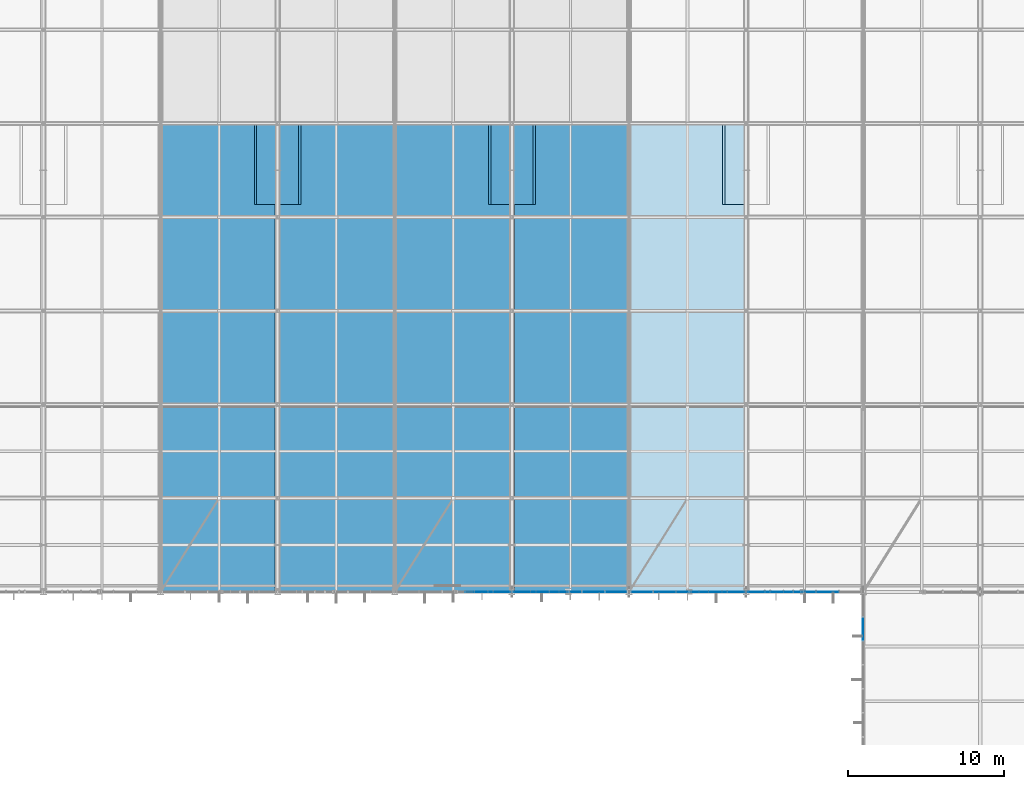
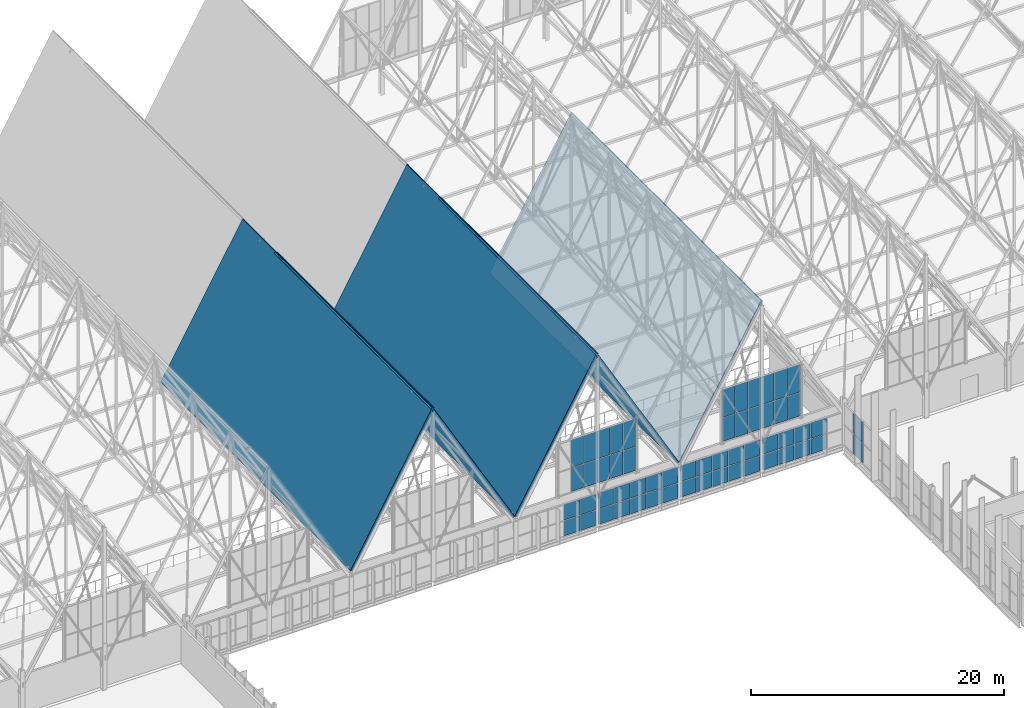
# One storey, part 278 of 324: 61 plates, 5 slabs, 7 elements without a shape of their own.
"""IFC4 building model written with IfcOpenShell, lengths in metres."""

from ifc_helpers import new_model, si_unit, direction, frame, origin, origin_2d, place, context, subcontext, project, spatial, polyline, rectangle, outline, extrude, material, layer, layer_set, type_object, element, aggregate, save


model = new_model("IFC4")

# Units and contexts
model_context = context("Model", 3, precision=1e-05, world=origin(), true_north=direction((0.0, 1.0)))
body_context = subcontext(model_context, "Body", "Model", "MODEL_VIEW")
ifc_project = project(units=[si_unit("LENGTHUNIT", "METRE"), si_unit("AREAUNIT", "SQUARE_METRE"), si_unit("VOLUMEUNIT", "CUBIC_METRE"), si_unit("PLANEANGLEUNIT", "RADIAN"), si_unit("MASSUNIT", "GRAM", prefix="KILO")], contexts=[model_context])

# Site, building, storey
site_placement = place(None, origin())
site = spatial("IfcSite", under=ifc_project, at=site_placement, CompositionType="ELEMENT")
building_placement = place(site_placement, origin())
building = spatial("IfcBuilding", under=site, at=building_placement, Name="Solvenia Promenade Tram Depot", CompositionType="ELEMENT")
storey_placement = place(building_placement, frame((0.0, 0.0, 4.5)))
storey = spatial("IfcBuildingStorey", under=building, at=storey_placement, Name="L01", CompositionType="ELEMENT", Elevation=4.5)

# Curtain wall, plates
ifc_material_1 = material(Name="Anodized aluminium AW-6063 T6", Category="aluminium")
ifc_layer_1 = layer(ifc_material_1, 0.159912109375, Name="Anodized aluminium AW-6063 T6", Category="aluminium")
ifc_layer_set_1 = layer_set([ifc_layer_1], Name="Anodized aluminium AW-6063 T6")
curtain_wall_type_1 = type_object("IfcCurtainWallType", Name="CW-Channel-1500", PredefinedType="NOTDEFINED", material=ifc_layer_set_1)
curtain_wall_1_placement = place(storey_placement, origin())
curtain_wall_1 = element("IfcCurtainWall", 1, at=curtain_wall_1_placement, inside=storey, type_object=curtain_wall_type_1, Name="Curtain Wall CW-V1S1-05", PredefinedType="NOTDEFINED")
ifc_material_2 = material(Name="Low-iron translucent U-profile channel glass", Category="glass")
ifc_layer_2 = layer(ifc_material_2, 0.028076171875, Name="Low-iron translucent U-profile channel glass", Category="glass")
ifc_layer_set_2 = layer_set([ifc_layer_2], Name="Low-iron translucent U-profile channel glass")
plate_type_1 = type_object("IfcPlateType", Name="CWP-Panel-1", PredefinedType="CURTAIN_PANEL", material=ifc_layer_set_2)
plate_1_placement = place(storey_placement, frame((80.218017578125, 66.0, 0.06494140625), z_axis=(0.0, 0.0, 1.0), x_axis=(1.0, 0.0, 0.0)))
plate_1 = element("IfcPlate", 2, at=plate_1_placement, type_object=plate_type_1, Name="CW-2 panel 4.1", PredefinedType="CURTAIN_PANEL", context=body_context, shape_type="SweptSolid", body=[
    extrude(rectangle(XDim=1.41796875, YDim=0.028076171875, at=origin_2d()), origin(), (0.0, 0.0, 1.0), 1.452392578125),
])
plate_2_placement = place(storey_placement, frame((80.218017578125, 66.0, 1.58251953125), z_axis=(0.0, 0.0, 1.0), x_axis=(1.0, 0.0, 0.0)))
plate_2 = element("IfcPlate", 3, at=plate_2_placement, type_object=plate_type_1, Name="CW-2 panel 4.2", PredefinedType="CURTAIN_PANEL", context=body_context, shape_type="SweptSolid", body=[
    extrude(rectangle(XDim=1.41796875, YDim=0.028076171875, at=origin_2d()), origin(), (0.0, 0.0, 1.0), 1.50244140625),
])
plate_3_placement = place(storey_placement, frame((81.673583984375, 66.0, 0.06494140625), z_axis=(0.0, 0.0, 1.0), x_axis=(1.0, 0.0, 0.0)))
plate_3 = element("IfcPlate", 4, at=plate_3_placement, type_object=plate_type_1, Name="CW-2 panel 5.1", PredefinedType="CURTAIN_PANEL", context=body_context, shape_type="SweptSolid", body=[
    extrude(rectangle(XDim=1.39306640625, YDim=0.028076171875, at=origin_2d()), origin(), (0.0, 0.0, 1.0), 1.452392578125),
])
plate_4_placement = place(storey_placement, frame((81.673583984375, 66.0, 1.58251953125), z_axis=(0.0, 0.0, 1.0), x_axis=(1.0, 0.0, 0.0)))
plate_4 = element("IfcPlate", 5, at=plate_4_placement, type_object=plate_type_1, Name="CW-2 panel 5.2", PredefinedType="CURTAIN_PANEL", context=body_context, shape_type="SweptSolid", body=[
    extrude(rectangle(XDim=1.39306640625, YDim=0.028076171875, at=origin_2d()), origin(), (0.0, 0.0, 1.0), 1.50244140625),
])
aggregate(curtain_wall_1, [plate_1, plate_2, plate_3, plate_4])

curtain_wall_2_placement = place(storey_placement, origin())
curtain_wall_2 = element("IfcCurtainWall", 6, at=curtain_wall_2_placement, inside=storey, type_object=curtain_wall_type_1, Name="Curtain Wall CW-V1S1-06", PredefinedType="NOTDEFINED")
plate_5_placement = place(storey_placement, frame((83.326416015625, 66.0, 0.06494140625), z_axis=(0.0, 0.0, 1.0), x_axis=(1.0, 0.0, 0.0)))
plate_5 = element("IfcPlate", 7, at=plate_5_placement, type_object=plate_type_1, Name="CW-2 panel 1.1", PredefinedType="CURTAIN_PANEL", context=body_context, shape_type="SweptSolid", body=[
    extrude(rectangle(XDim=1.39306640625, YDim=0.028076171875, at=origin_2d()), origin(), (0.0, 0.0, 1.0), 1.452392578125),
])
plate_6_placement = place(storey_placement, frame((83.326416015625, 66.0, 1.58251953125), z_axis=(0.0, 0.0, 1.0), x_axis=(1.0, 0.0, 0.0)))
plate_6 = element("IfcPlate", 8, at=plate_6_placement, type_object=plate_type_1, Name="CW-2 panel 1.2", PredefinedType="CURTAIN_PANEL", context=body_context, shape_type="SweptSolid", body=[
    extrude(rectangle(XDim=1.39306640625, YDim=0.028076171875, at=origin_2d()), origin(), (0.0, 0.0, 1.0), 1.50244140625),
])
plate_7_placement = place(storey_placement, frame((84.781982421875, 66.0, 0.06494140625), z_axis=(0.0, 0.0, 1.0), x_axis=(1.0, 0.0, 0.0)))
plate_7 = element("IfcPlate", 9, at=plate_7_placement, type_object=plate_type_1, Name="CW-2 panel 2.1", PredefinedType="CURTAIN_PANEL", context=body_context, shape_type="SweptSolid", body=[
    extrude(rectangle(XDim=1.41796875, YDim=0.028076171875, at=origin_2d()), origin(), (0.0, 0.0, 1.0), 1.452392578125),
])
plate_8_placement = place(storey_placement, frame((84.781982421875, 66.0, 1.58251953125), z_axis=(0.0, 0.0, 1.0), x_axis=(1.0, 0.0, 0.0)))
plate_8 = element("IfcPlate", 10, at=plate_8_placement, type_object=plate_type_1, Name="CW-2 panel 2.2", PredefinedType="CURTAIN_PANEL", context=body_context, shape_type="SweptSolid", body=[
    extrude(rectangle(XDim=1.41796875, YDim=0.028076171875, at=origin_2d()), origin(), (0.0, 0.0, 1.0), 1.50244140625),
])
plate_9_placement = place(storey_placement, frame((86.25, 66.0, 0.06494140625), z_axis=(0.0, 0.0, 1.0), x_axis=(1.0, 0.0, 0.0)))
plate_9 = element("IfcPlate", 11, at=plate_9_placement, type_object=plate_type_1, Name="CW-2 panel 3.1", PredefinedType="CURTAIN_PANEL", context=body_context, shape_type="SweptSolid", body=[
    extrude(rectangle(XDim=1.41796875, YDim=0.028076171875, at=origin_2d()), origin(), (0.0, 0.0, 1.0), 1.452392578125),
])
plate_10_placement = place(storey_placement, frame((86.25, 66.0, 1.58251953125), z_axis=(0.0, 0.0, 1.0), x_axis=(1.0, 0.0, 0.0)))
plate_10 = element("IfcPlate", 12, at=plate_10_placement, type_object=plate_type_1, Name="CW-2 panel 3.2", PredefinedType="CURTAIN_PANEL", context=body_context, shape_type="SweptSolid", body=[
    extrude(rectangle(XDim=1.41796875, YDim=0.028076171875, at=origin_2d()), origin(), (0.0, 0.0, 1.0), 1.50244140625),
])
plate_11_placement = place(storey_placement, frame((87.718017578125, 66.0, 0.06494140625), z_axis=(0.0, 0.0, 1.0), x_axis=(1.0, 0.0, 0.0)))
plate_11 = element("IfcPlate", 13, at=plate_11_placement, type_object=plate_type_1, Name="CW-2 panel 4.1", PredefinedType="CURTAIN_PANEL", context=body_context, shape_type="SweptSolid", body=[
    extrude(rectangle(XDim=1.41796875, YDim=0.028076171875, at=origin_2d()), origin(), (0.0, 0.0, 1.0), 1.452392578125),
])
plate_12_placement = place(storey_placement, frame((87.718017578125, 66.0, 1.58251953125), z_axis=(0.0, 0.0, 1.0), x_axis=(1.0, 0.0, 0.0)))
plate_12 = element("IfcPlate", 14, at=plate_12_placement, type_object=plate_type_1, Name="CW-2 panel 4.2", PredefinedType="CURTAIN_PANEL", context=body_context, shape_type="SweptSolid", body=[
    extrude(rectangle(XDim=1.41796875, YDim=0.028076171875, at=origin_2d()), origin(), (0.0, 0.0, 1.0), 1.50244140625),
])
plate_13_placement = place(storey_placement, frame((89.173583984375, 66.0, 0.06494140625), z_axis=(0.0, 0.0, 1.0), x_axis=(1.0, 0.0, 0.0)))
plate_13 = element("IfcPlate", 15, at=plate_13_placement, type_object=plate_type_1, Name="CW-2 panel 5.1", PredefinedType="CURTAIN_PANEL", context=body_context, shape_type="SweptSolid", body=[
    extrude(rectangle(XDim=1.39306640625, YDim=0.028076171875, at=origin_2d()), origin(), (0.0, 0.0, 1.0), 1.452392578125),
])
plate_14_placement = place(storey_placement, frame((89.173583984375, 66.0, 1.58251953125), z_axis=(0.0, 0.0, 1.0), x_axis=(1.0, 0.0, 0.0)))
plate_14 = element("IfcPlate", 16, at=plate_14_placement, type_object=plate_type_1, Name="CW-2 panel 5.2", PredefinedType="CURTAIN_PANEL", context=body_context, shape_type="SweptSolid", body=[
    extrude(rectangle(XDim=1.39306640625, YDim=0.028076171875, at=origin_2d()), origin(), (0.0, 0.0, 1.0), 1.50244140625),
])
aggregate(curtain_wall_2, [plate_5, plate_6, plate_7, plate_8, plate_9, plate_10, plate_11, plate_12, plate_13, plate_14])

curtain_wall_3_placement = place(storey_placement, origin())
curtain_wall_3 = element("IfcCurtainWall", 17, at=curtain_wall_3_placement, inside=storey, type_object=curtain_wall_type_1, Name="Curtain Wall CW-V1S1-07", PredefinedType="NOTDEFINED")
plate_15_placement = place(storey_placement, frame((90.826416015625, 66.0, 0.06494140625), z_axis=(0.0, 0.0, 1.0), x_axis=(1.0, 0.0, 0.0)))
plate_15 = element("IfcPlate", 18, at=plate_15_placement, type_object=plate_type_1, Name="CW-2 panel 1.1", PredefinedType="CURTAIN_PANEL", context=body_context, shape_type="SweptSolid", body=[
    extrude(rectangle(XDim=1.39306640625, YDim=0.028076171875, at=origin_2d()), origin(), (0.0, 0.0, 1.0), 1.452392578125),
])
plate_16_placement = place(storey_placement, frame((90.826416015625, 66.0, 1.58251953125), z_axis=(0.0, 0.0, 1.0), x_axis=(1.0, 0.0, 0.0)))
plate_16 = element("IfcPlate", 19, at=plate_16_placement, type_object=plate_type_1, Name="CW-2 panel 1.2", PredefinedType="CURTAIN_PANEL", context=body_context, shape_type="SweptSolid", body=[
    extrude(rectangle(XDim=1.39306640625, YDim=0.028076171875, at=origin_2d()), origin(), (0.0, 0.0, 1.0), 1.50244140625),
])
plate_17_placement = place(storey_placement, frame((92.281982421875, 66.0, 0.06494140625), z_axis=(0.0, 0.0, 1.0), x_axis=(1.0, 0.0, 0.0)))
plate_17 = element("IfcPlate", 20, at=plate_17_placement, type_object=plate_type_1, Name="CW-2 panel 2.1", PredefinedType="CURTAIN_PANEL", context=body_context, shape_type="SweptSolid", body=[
    extrude(rectangle(XDim=1.41796875, YDim=0.028076171875, at=origin_2d()), origin(), (0.0, 0.0, 1.0), 1.452392578125),
])
plate_18_placement = place(storey_placement, frame((92.281982421875, 66.0, 1.58251953125), z_axis=(0.0, 0.0, 1.0), x_axis=(1.0, 0.0, 0.0)))
plate_18 = element("IfcPlate", 21, at=plate_18_placement, type_object=plate_type_1, Name="CW-2 panel 2.2", PredefinedType="CURTAIN_PANEL", context=body_context, shape_type="SweptSolid", body=[
    extrude(rectangle(XDim=1.41796875, YDim=0.028076171875, at=origin_2d()), origin(), (0.0, 0.0, 1.0), 1.50244140625),
])
plate_19_placement = place(storey_placement, frame((93.75, 66.0, 0.06494140625), z_axis=(0.0, 0.0, 1.0), x_axis=(1.0, 0.0, 0.0)))
plate_19 = element("IfcPlate", 22, at=plate_19_placement, type_object=plate_type_1, Name="CW-2 panel 3.1", PredefinedType="CURTAIN_PANEL", context=body_context, shape_type="SweptSolid", body=[
    extrude(rectangle(XDim=1.41796875, YDim=0.028076171875, at=origin_2d()), origin(), (0.0, 0.0, 1.0), 1.452392578125),
])
plate_20_placement = place(storey_placement, frame((93.75, 66.0, 1.58251953125), z_axis=(0.0, 0.0, 1.0), x_axis=(1.0, 0.0, 0.0)))
plate_20 = element("IfcPlate", 23, at=plate_20_placement, type_object=plate_type_1, Name="CW-2 panel 3.2", PredefinedType="CURTAIN_PANEL", context=body_context, shape_type="SweptSolid", body=[
    extrude(rectangle(XDim=1.41796875, YDim=0.028076171875, at=origin_2d()), origin(), (0.0, 0.0, 1.0), 1.50244140625),
])
plate_21_placement = place(storey_placement, frame((95.218017578125, 66.0, 0.06494140625), z_axis=(0.0, 0.0, 1.0), x_axis=(1.0, 0.0, 0.0)))
plate_21 = element("IfcPlate", 24, at=plate_21_placement, type_object=plate_type_1, Name="CW-2 panel 4.1", PredefinedType="CURTAIN_PANEL", context=body_context, shape_type="SweptSolid", body=[
    extrude(rectangle(XDim=1.41796875, YDim=0.028076171875, at=origin_2d()), origin(), (0.0, 0.0, 1.0), 1.452392578125),
])
plate_22_placement = place(storey_placement, frame((95.218017578125, 66.0, 1.58251953125), z_axis=(0.0, 0.0, 1.0), x_axis=(1.0, 0.0, 0.0)))
plate_22 = element("IfcPlate", 25, at=plate_22_placement, type_object=plate_type_1, Name="CW-2 panel 4.2", PredefinedType="CURTAIN_PANEL", context=body_context, shape_type="SweptSolid", body=[
    extrude(rectangle(XDim=1.41796875, YDim=0.028076171875, at=origin_2d()), origin(), (0.0, 0.0, 1.0), 1.50244140625),
])
plate_23_placement = place(storey_placement, frame((96.673583984375, 66.0, 0.06494140625), z_axis=(0.0, 0.0, 1.0), x_axis=(1.0, 0.0, 0.0)))
plate_23 = element("IfcPlate", 26, at=plate_23_placement, type_object=plate_type_1, Name="CW-2 panel 5.1", PredefinedType="CURTAIN_PANEL", context=body_context, shape_type="SweptSolid", body=[
    extrude(rectangle(XDim=1.39306640625, YDim=0.028076171875, at=origin_2d()), origin(), (0.0, 0.0, 1.0), 1.452392578125),
])
plate_24_placement = place(storey_placement, frame((96.673583984375, 66.0, 1.58251953125), z_axis=(0.0, 0.0, 1.0), x_axis=(1.0, 0.0, 0.0)))
plate_24 = element("IfcPlate", 27, at=plate_24_placement, type_object=plate_type_1, Name="CW-2 panel 5.2", PredefinedType="CURTAIN_PANEL", context=body_context, shape_type="SweptSolid", body=[
    extrude(rectangle(XDim=1.39306640625, YDim=0.028076171875, at=origin_2d()), origin(), (0.0, 0.0, 1.0), 1.50244140625),
])
aggregate(curtain_wall_3, [plate_15, plate_16, plate_17, plate_18, plate_19, plate_20, plate_21, plate_22, plate_23, plate_24])

curtain_wall_4_placement = place(storey_placement, origin())
curtain_wall_4 = element("IfcCurtainWall", 28, at=curtain_wall_4_placement, inside=storey, type_object=curtain_wall_type_1, Name="Curtain Wall CW-V1S1-08", PredefinedType="NOTDEFINED")
plate_25_placement = place(storey_placement, frame((98.326416015625, 66.0, 0.06494140625), z_axis=(0.0, 0.0, 1.0), x_axis=(1.0, 0.0, 0.0)))
plate_25 = element("IfcPlate", 29, at=plate_25_placement, type_object=plate_type_1, Name="CW-2 panel 1.1", PredefinedType="CURTAIN_PANEL", context=body_context, shape_type="SweptSolid", body=[
    extrude(rectangle(XDim=1.39306640625, YDim=0.028076171875, at=origin_2d()), origin(), (0.0, 0.0, 1.0), 1.452392578125),
])
plate_26_placement = place(storey_placement, frame((98.326416015625, 66.0, 1.58251953125), z_axis=(0.0, 0.0, 1.0), x_axis=(1.0, 0.0, 0.0)))
plate_26 = element("IfcPlate", 30, at=plate_26_placement, type_object=plate_type_1, Name="CW-2 panel 1.2", PredefinedType="CURTAIN_PANEL", context=body_context, shape_type="SweptSolid", body=[
    extrude(rectangle(XDim=1.39306640625, YDim=0.028076171875, at=origin_2d()), origin(), (0.0, 0.0, 1.0), 1.50244140625),
])
plate_27_placement = place(storey_placement, frame((99.781982421875, 66.0, 0.06494140625), z_axis=(0.0, 0.0, 1.0), x_axis=(1.0, 0.0, 0.0)))
plate_27 = element("IfcPlate", 31, at=plate_27_placement, type_object=plate_type_1, Name="CW-2 panel 2.1", PredefinedType="CURTAIN_PANEL", context=body_context, shape_type="SweptSolid", body=[
    extrude(rectangle(XDim=1.41796875, YDim=0.028076171875, at=origin_2d()), origin(), (0.0, 0.0, 1.0), 1.452392578125),
])
plate_28_placement = place(storey_placement, frame((99.781982421875, 66.0, 1.58251953125), z_axis=(0.0, 0.0, 1.0), x_axis=(1.0, 0.0, 0.0)))
plate_28 = element("IfcPlate", 32, at=plate_28_placement, type_object=plate_type_1, Name="CW-2 panel 2.2", PredefinedType="CURTAIN_PANEL", context=body_context, shape_type="SweptSolid", body=[
    extrude(rectangle(XDim=1.41796875, YDim=0.028076171875, at=origin_2d()), origin(), (0.0, 0.0, 1.0), 1.50244140625),
])
plate_29_placement = place(storey_placement, frame((101.25, 66.0, 0.06494140625), z_axis=(0.0, 0.0, 1.0), x_axis=(1.0, 0.0, 0.0)))
plate_29 = element("IfcPlate", 33, at=plate_29_placement, type_object=plate_type_1, Name="CW-2 panel 3.1", PredefinedType="CURTAIN_PANEL", context=body_context, shape_type="SweptSolid", body=[
    extrude(rectangle(XDim=1.41796875, YDim=0.028076171875, at=origin_2d()), origin(), (0.0, 0.0, 1.0), 1.452392578125),
])
plate_30_placement = place(storey_placement, frame((101.25, 66.0, 1.58251953125), z_axis=(0.0, 0.0, 1.0), x_axis=(1.0, 0.0, 0.0)))
plate_30 = element("IfcPlate", 34, at=plate_30_placement, type_object=plate_type_1, Name="CW-2 panel 3.2", PredefinedType="CURTAIN_PANEL", context=body_context, shape_type="SweptSolid", body=[
    extrude(rectangle(XDim=1.41796875, YDim=0.028076171875, at=origin_2d()), origin(), (0.0, 0.0, 1.0), 1.50244140625),
])
plate_31_placement = place(storey_placement, frame((102.718017578125, 66.0, 0.06494140625), z_axis=(0.0, 0.0, 1.0), x_axis=(1.0, 0.0, 0.0)))
plate_31 = element("IfcPlate", 35, at=plate_31_placement, type_object=plate_type_1, Name="CW-2 panel 4.1", PredefinedType="CURTAIN_PANEL", context=body_context, shape_type="SweptSolid", body=[
    extrude(rectangle(XDim=1.41796875, YDim=0.028076171875, at=origin_2d()), origin(), (0.0, 0.0, 1.0), 1.452392578125),
])
plate_32_placement = place(storey_placement, frame((102.718017578125, 66.0, 1.58251953125), z_axis=(0.0, 0.0, 1.0), x_axis=(1.0, 0.0, 0.0)))
plate_32 = element("IfcPlate", 36, at=plate_32_placement, type_object=plate_type_1, Name="CW-2 panel 4.2", PredefinedType="CURTAIN_PANEL", context=body_context, shape_type="SweptSolid", body=[
    extrude(rectangle(XDim=1.41796875, YDim=0.028076171875, at=origin_2d()), origin(), (0.0, 0.0, 1.0), 1.50244140625),
])
aggregate(curtain_wall_4, [plate_25, plate_26, plate_27, plate_28, plate_29, plate_30, plate_31, plate_32])

ifc_layer_3 = layer(ifc_material_1, 0.14990234375, Name="Anodized aluminium AW-6063 T6", Category="aluminium")
ifc_layer_set_3 = layer_set([ifc_layer_3], Name="Anodized aluminium AW-6063 T6")
curtain_wall_type_2 = type_object("IfcCurtainWallType", Name="CW-Gable-1200", PredefinedType="NOTDEFINED", material=ifc_layer_set_3)
curtain_wall_5_placement = place(storey_placement, origin())
curtain_wall_5 = element("IfcCurtainWall", 37, at=curtain_wall_5_placement, inside=storey, type_object=curtain_wall_type_2, Name="South Zigzag Gable 06 Peak Glazing", PredefinedType="NOTDEFINED")
plate_33_placement = place(storey_placement, frame((80.699951171875, 66.0, 4.10791015625), z_axis=(0.0, 0.0, 1.0), x_axis=(1.0, 0.0, 0.0)))
plate_33 = element("IfcPlate", 38, at=plate_33_placement, type_object=plate_type_1, Name="CW-3 panel 2.1", PredefinedType="CURTAIN_PANEL", context=body_context, shape_type="SweptSolid", body=[
    extrude(rectangle(XDim=1.152099609375, YDim=0.028076171875, at=origin_2d()), origin(), (0.0, 0.0, 1.0), 2.262939453125),
])
plate_34_placement = place(storey_placement, frame((80.699951171875, 66.0, 6.428955078125), z_axis=(0.0, 0.0, 1.0), x_axis=(1.0, 0.0, 0.0)))
plate_34 = element("IfcPlate", 39, at=plate_34_placement, type_object=plate_type_1, Name="CW-3 panel 2.2", PredefinedType="CURTAIN_PANEL", context=body_context, shape_type="SweptSolid", body=[
    extrude(rectangle(XDim=1.152099609375, YDim=0.028076171875, at=origin_2d()), origin(), (0.0, 0.0, 1.0), 2.6630859375),
])
plate_35_placement = place(storey_placement, frame((81.89990234375, 66.0, 4.10791015625), z_axis=(0.0, 0.0, 1.0), x_axis=(1.0, 0.0, 0.0)))
plate_35 = element("IfcPlate", 40, at=plate_35_placement, type_object=plate_type_1, Name="CW-3 panel 3.1", PredefinedType="CURTAIN_PANEL", context=body_context, shape_type="SweptSolid", body=[
    extrude(rectangle(XDim=1.152099609375, YDim=0.028076171875, at=origin_2d()), origin(), (0.0, 0.0, 1.0), 2.262939453125),
])
plate_36_placement = place(storey_placement, frame((81.89990234375, 66.0, 6.428955078125), z_axis=(0.0, 0.0, 1.0), x_axis=(1.0, 0.0, 0.0)))
plate_36 = element("IfcPlate", 41, at=plate_36_placement, type_object=plate_type_1, Name="CW-3 panel 3.2", PredefinedType="CURTAIN_PANEL", context=body_context, shape_type="SweptSolid", body=[
    extrude(rectangle(XDim=1.152099609375, YDim=0.028076171875, at=origin_2d()), origin(), (0.0, 0.0, 1.0), 2.6630859375),
])
plate_37_placement = place(storey_placement, frame((83.10009765625, 66.0, 4.10791015625), z_axis=(0.0, 0.0, 1.0), x_axis=(1.0, 0.0, 0.0)))
plate_37 = element("IfcPlate", 42, at=plate_37_placement, type_object=plate_type_1, Name="CW-3 panel 4.1", PredefinedType="CURTAIN_PANEL", context=body_context, shape_type="SweptSolid", body=[
    extrude(rectangle(XDim=1.152099609375, YDim=0.028076171875, at=origin_2d()), origin(), (0.0, 0.0, 1.0), 2.262939453125),
])
plate_38_placement = place(storey_placement, frame((83.10009765625, 66.0, 6.428955078125), z_axis=(0.0, 0.0, 1.0), x_axis=(1.0, 0.0, 0.0)))
plate_38 = element("IfcPlate", 43, at=plate_38_placement, type_object=plate_type_1, Name="CW-3 panel 4.2", PredefinedType="CURTAIN_PANEL", context=body_context, shape_type="SweptSolid", body=[
    extrude(rectangle(XDim=1.152099609375, YDim=0.028076171875, at=origin_2d()), origin(), (0.0, 0.0, 1.0), 2.6630859375),
])
plate_39_placement = place(storey_placement, frame((84.300048828125, 66.0, 4.10791015625), z_axis=(0.0, 0.0, 1.0), x_axis=(1.0, 0.0, 0.0)))
plate_39 = element("IfcPlate", 44, at=plate_39_placement, type_object=plate_type_1, Name="CW-3 panel 5.1", PredefinedType="CURTAIN_PANEL", context=body_context, shape_type="SweptSolid", body=[
    extrude(rectangle(XDim=1.152099609375, YDim=0.028076171875, at=origin_2d()), origin(), (0.0, 0.0, 1.0), 2.262939453125),
])
plate_40_placement = place(storey_placement, frame((84.300048828125, 66.0, 6.428955078125), z_axis=(0.0, 0.0, 1.0), x_axis=(1.0, 0.0, 0.0)))
plate_40 = element("IfcPlate", 45, at=plate_40_placement, type_object=plate_type_1, Name="CW-3 panel 5.2", PredefinedType="CURTAIN_PANEL", context=body_context, shape_type="SweptSolid", body=[
    extrude(rectangle(XDim=1.152099609375, YDim=0.028076171875, at=origin_2d()), origin(), (0.0, 0.0, 1.0), 2.6630859375),
])
plate_41_placement = place(storey_placement, frame((85.488037109375, 66.0, 4.10791015625), z_axis=(0.0, 0.0, 1.0), x_axis=(1.0, 0.0, 0.0)))
plate_41 = element("IfcPlate", 46, at=plate_41_placement, type_object=plate_type_1, Name="CW-3 panel 6.1", PredefinedType="CURTAIN_PANEL", context=body_context, shape_type="SweptSolid", body=[
    extrude(rectangle(XDim=1.1279296875, YDim=0.028076171875, at=origin_2d()), origin(), (0.0, 0.0, 1.0), 2.262939453125),
])
plate_42_placement = place(storey_placement, frame((85.488037109375, 66.0, 6.428955078125), z_axis=(0.0, 0.0, 1.0), x_axis=(1.0, 0.0, 0.0)))
plate_42 = element("IfcPlate", 47, at=plate_42_placement, type_object=plate_type_1, Name="CW-3 panel 6.2", PredefinedType="CURTAIN_PANEL", context=body_context, shape_type="SweptSolid", body=[
    extrude(rectangle(XDim=1.1279296875, YDim=0.028076171875, at=origin_2d()), origin(), (0.0, 0.0, 1.0), 2.6630859375),
])
aggregate(curtain_wall_5, [plate_33, plate_34, plate_35, plate_36, plate_37, plate_38, plate_39, plate_40, plate_41, plate_42])

curtain_wall_6_placement = place(storey_placement, origin())
curtain_wall_6 = element("IfcCurtainWall", 48, at=curtain_wall_6_placement, inside=storey, type_object=curtain_wall_type_2, Name="South Zigzag Gable 07 Peak Glazing", PredefinedType="NOTDEFINED")
plate_43_placement = place(storey_placement, frame((94.511962890625, 66.0, 4.10791015625), z_axis=(0.0, 0.0, 1.0), x_axis=(1.0, 0.0, 0.0)))
plate_43 = element("IfcPlate", 49, at=plate_43_placement, type_object=plate_type_1, Name="CW-3 panel 1.1", PredefinedType="CURTAIN_PANEL", context=body_context, shape_type="SweptSolid", body=[
    extrude(rectangle(XDim=1.1279296875, YDim=0.028076171875, at=origin_2d()), origin(), (0.0, 0.0, 1.0), 2.262939453125),
])
plate_44_placement = place(storey_placement, frame((94.511962890625, 66.0, 6.428955078125), z_axis=(0.0, 0.0, 1.0), x_axis=(1.0, 0.0, 0.0)))
plate_44 = element("IfcPlate", 50, at=plate_44_placement, type_object=plate_type_1, Name="CW-3 panel 1.2", PredefinedType="CURTAIN_PANEL", context=body_context, shape_type="SweptSolid", body=[
    extrude(rectangle(XDim=1.1279296875, YDim=0.028076171875, at=origin_2d()), origin(), (0.0, 0.0, 1.0), 2.6630859375),
])
plate_45_placement = place(storey_placement, frame((95.699951171875, 66.0, 4.10791015625), z_axis=(0.0, 0.0, 1.0), x_axis=(1.0, 0.0, 0.0)))
plate_45 = element("IfcPlate", 51, at=plate_45_placement, type_object=plate_type_1, Name="CW-3 panel 2.1", PredefinedType="CURTAIN_PANEL", context=body_context, shape_type="SweptSolid", body=[
    extrude(rectangle(XDim=1.152099609375, YDim=0.028076171875, at=origin_2d()), origin(), (0.0, 0.0, 1.0), 2.262939453125),
])
plate_46_placement = place(storey_placement, frame((95.699951171875, 66.0, 6.428955078125), z_axis=(0.0, 0.0, 1.0), x_axis=(1.0, 0.0, 0.0)))
plate_46 = element("IfcPlate", 52, at=plate_46_placement, type_object=plate_type_1, Name="CW-3 panel 2.2", PredefinedType="CURTAIN_PANEL", context=body_context, shape_type="SweptSolid", body=[
    extrude(rectangle(XDim=1.152099609375, YDim=0.028076171875, at=origin_2d()), origin(), (0.0, 0.0, 1.0), 2.6630859375),
])
plate_47_placement = place(storey_placement, frame((96.89990234375, 66.0, 4.10791015625), z_axis=(0.0, 0.0, 1.0), x_axis=(1.0, 0.0, 0.0)))
plate_47 = element("IfcPlate", 53, at=plate_47_placement, type_object=plate_type_1, Name="CW-3 panel 3.1", PredefinedType="CURTAIN_PANEL", context=body_context, shape_type="SweptSolid", body=[
    extrude(rectangle(XDim=1.152099609375, YDim=0.028076171875, at=origin_2d()), origin(), (0.0, 0.0, 1.0), 2.262939453125),
])
plate_48_placement = place(storey_placement, frame((96.89990234375, 66.0, 6.428955078125), z_axis=(0.0, 0.0, 1.0), x_axis=(1.0, 0.0, 0.0)))
plate_48 = element("IfcPlate", 54, at=plate_48_placement, type_object=plate_type_1, Name="CW-3 panel 3.2", PredefinedType="CURTAIN_PANEL", context=body_context, shape_type="SweptSolid", body=[
    extrude(rectangle(XDim=1.152099609375, YDim=0.028076171875, at=origin_2d()), origin(), (0.0, 0.0, 1.0), 2.6630859375),
])
plate_49_placement = place(storey_placement, frame((98.10009765625, 66.0, 4.10791015625), z_axis=(0.0, 0.0, 1.0), x_axis=(1.0, 0.0, 0.0)))
plate_49 = element("IfcPlate", 55, at=plate_49_placement, type_object=plate_type_1, Name="CW-3 panel 4.1", PredefinedType="CURTAIN_PANEL", context=body_context, shape_type="SweptSolid", body=[
    extrude(rectangle(XDim=1.152099609375, YDim=0.028076171875, at=origin_2d()), origin(), (0.0, 0.0, 1.0), 2.262939453125),
])
plate_50_placement = place(storey_placement, frame((98.10009765625, 66.0, 6.428955078125), z_axis=(0.0, 0.0, 1.0), x_axis=(1.0, 0.0, 0.0)))
plate_50 = element("IfcPlate", 56, at=plate_50_placement, type_object=plate_type_1, Name="CW-3 panel 4.2", PredefinedType="CURTAIN_PANEL", context=body_context, shape_type="SweptSolid", body=[
    extrude(rectangle(XDim=1.152099609375, YDim=0.028076171875, at=origin_2d()), origin(), (0.0, 0.0, 1.0), 2.6630859375),
])
plate_51_placement = place(storey_placement, frame((99.300048828125, 66.0, 4.10791015625), z_axis=(0.0, 0.0, 1.0), x_axis=(1.0, 0.0, 0.0)))
plate_51 = element("IfcPlate", 57, at=plate_51_placement, type_object=plate_type_1, Name="CW-3 panel 5.1", PredefinedType="CURTAIN_PANEL", context=body_context, shape_type="SweptSolid", body=[
    extrude(rectangle(XDim=1.152099609375, YDim=0.028076171875, at=origin_2d()), origin(), (0.0, 0.0, 1.0), 2.262939453125),
])
plate_52_placement = place(storey_placement, frame((99.300048828125, 66.0, 6.428955078125), z_axis=(0.0, 0.0, 1.0), x_axis=(1.0, 0.0, 0.0)))
plate_52 = element("IfcPlate", 58, at=plate_52_placement, type_object=plate_type_1, Name="CW-3 panel 5.2", PredefinedType="CURTAIN_PANEL", context=body_context, shape_type="SweptSolid", body=[
    extrude(rectangle(XDim=1.152099609375, YDim=0.028076171875, at=origin_2d()), origin(), (0.0, 0.0, 1.0), 2.6630859375),
])
plate_53_placement = place(storey_placement, frame((100.488037109375, 66.0, 4.10791015625), z_axis=(0.0, 0.0, 1.0), x_axis=(1.0, 0.0, 0.0)))
plate_53 = element("IfcPlate", 59, at=plate_53_placement, type_object=plate_type_1, Name="CW-3 panel 6.1", PredefinedType="CURTAIN_PANEL", context=body_context, shape_type="SweptSolid", body=[
    extrude(rectangle(XDim=1.1279296875, YDim=0.028076171875, at=origin_2d()), origin(), (0.0, 0.0, 1.0), 2.262939453125),
])
plate_54_placement = place(storey_placement, frame((100.488037109375, 66.0, 6.428955078125), z_axis=(0.0, 0.0, 1.0), x_axis=(1.0, 0.0, 0.0)))
plate_54 = element("IfcPlate", 60, at=plate_54_placement, type_object=plate_type_1, Name="CW-3 panel 6.2", PredefinedType="CURTAIN_PANEL", context=body_context, shape_type="SweptSolid", body=[
    extrude(rectangle(XDim=1.1279296875, YDim=0.028076171875, at=origin_2d()), origin(), (0.0, 0.0, 1.0), 2.6630859375),
])
aggregate(curtain_wall_6, [plate_43, plate_44, plate_45, plate_46, plate_47, plate_48, plate_49, plate_50, plate_51, plate_52, plate_53, plate_54])

ifc_layer_4 = layer(ifc_material_1, 0.14990234375, Name="Anodized aluminium AW-6063 T6", Category="aluminium")
ifc_layer_set_4 = layer_set([ifc_layer_4], Name="Anodized aluminium AW-6063 T6")
curtain_wall_type_3 = type_object("IfcCurtainWallType", Name="CW-Court-1500", PredefinedType="NOTDEFINED", material=ifc_layer_set_4)
curtain_wall_7_placement = place(storey_placement, origin())
curtain_wall_7 = element("IfcCurtainWall", 61, at=curtain_wall_7_placement, inside=storey, type_object=curtain_wall_type_3, Name="Curtain Wall CW-V2W-L1-2", PredefinedType="NOTDEFINED")
ifc_material_3 = material(Name="Double low-e argon insulated glass", Category="glass")
ifc_layer_5 = layer(ifc_material_3, 0.031982421875, Name="Double low-e argon insulated glass", Category="glass")
ifc_layer_set_5 = layer_set([ifc_layer_5], Name="Double low-e argon insulated glass")
plate_type_2 = type_object("IfcPlateType", Name="CWP-Panel-2", PredefinedType="CURTAIN_PANEL", material=ifc_layer_set_5)
plate_55_placement = place(storey_placement, frame((105.0, 63.61328125, 0.06494140625), z_axis=(0.0, 0.0, 1.0), x_axis=(0.0, 1.0, 0.0)))
plate_55 = element("IfcPlate", 62, at=plate_55_placement, type_object=plate_type_2, Name="CW-5 panel 8.1", PredefinedType="CURTAIN_PANEL", context=body_context, shape_type="SweptSolid", body=[
    extrude(rectangle(XDim=1.48779296875, YDim=0.031982421875, at=origin_2d()), origin(), (0.0, 0.0, 1.0), 1.902587890625),
])
plate_56_placement = place(storey_placement, frame((105.0, 63.61328125, 2.03271484375), z_axis=(0.0, 0.0, 1.0), x_axis=(0.0, 1.0, 0.0)))
plate_56 = element("IfcPlate", 63, at=plate_56_placement, type_object=plate_type_2, Name="CW-5 panel 8.2", PredefinedType="CURTAIN_PANEL", context=body_context, shape_type="SweptSolid", body=[
    extrude(rectangle(XDim=1.48779296875, YDim=0.031982421875, at=origin_2d()), origin(), (0.0, 0.0, 1.0), 1.952392578125),
])
aggregate(curtain_wall_7, [plate_55, plate_56])

# Plates
ifc_material_4 = material(Name="Translucent multi-wall insulated polycarbonate cassette", Category="other")
ifc_layer_6 = layer(ifc_material_4, 0.0419921875, Name="Translucent multi-wall insulated polycarbonate cassette", Category="other")
ifc_layer_set_6 = layer_set([ifc_layer_6], Name="Translucent multi-wall insulated polycarbonate cassette")
plate_type_3 = type_object("IfcPlateType", Name="DaylightCassette-1", PredefinedType="SHEET", material=ifc_layer_set_6)
for number, where, z_axis, x_axis, name in (
    (64, (60.0, 66.0, 3.5419921875), (-0.868971806946, 0.0, 0.494861595532), (0.0, 1.0, 0.0), "Insulated Daylight Gable 05 West Skylight Cladding 1"),
    (65, (67.5, 66.0, 16.7119140625), (0.868971806946, 0.0, 0.494861595532), (0.0, 1.0, 0.0), "Insulated Daylight Gable 05 East Skylight Cladding 1"),
    (66, (75.0, 66.0, 3.5419921875), (-0.868971806946, 0.0, 0.494861595532), (0.0, 1.0, 0.0), "Insulated Daylight Gable 06 West Skylight Cladding 1"),
    (67, (82.5, 66.0, 16.7119140625), (0.868971806946, 0.0, 0.494861595532), (0.0, 1.0, 0.0), "Insulated Daylight Gable 06 East Skylight Cladding 1"),
):
    element("IfcPlate", number, at=place(storey_placement, frame(where, z_axis=z_axis, x_axis=x_axis)), inside=storey, type_object=plate_type_3, Name=name, PredefinedType="SHEET", context=body_context, shape_type="SweptSolid", body=[
        extrude(outline(polyline([(0.0, 0.0), (30.0, 0.0), (30.0, -15.155752775550395), (0.0, -15.155752775550395), (0.0, 0.0)])), origin(), (0.0, 0.0, -1.0), 0.0419921875),
    ])
plate_57_placement = place(storey_placement, frame((90.0, 66.0, 3.5419921875), z_axis=(-0.865148214095, 0.0, 0.501516268578), x_axis=(0.0, 1.0, 0.0)))
element("IfcPlate", 68, at=plate_57_placement, inside=storey, type_object=plate_type_3, Name="Insulated Daylight Gable 07 West Skylight Cladding 1", PredefinedType="SHEET", context=body_context, shape_type="SweptSolid", body=[
    extrude(outline(polyline([(0.0, 0.0), (30.0, 0.0), (30.0, -14.954649469839215), (0.0, -14.954649469839215), (0.0, 0.0)])), origin(), (0.0, 0.0, -1.0), 0.0419921875),
])

# Slabs
ifc_material_5 = material(Name="Concrete C28/35", Category="concrete")
ifc_layer_7 = layer(ifc_material_5, 0.179931640625, Name="Concrete C28/35", Category="concrete")
ifc_layer_set_7 = layer_set([ifc_layer_7], Name="Concrete C28/35")
slab_type = type_object("IfcSlabType", Name="Slab-Valley-180", PredefinedType="ROOF", material=ifc_layer_set_7)
slab_1_placement = place(storey_placement, frame((60.0, 66.0, 3.5), z_axis=(-0.868971665282, 4.17182e-07, 0.494861844293), x_axis=(3.62519e-07, 1.0, -2.06447e-07)))
element("IfcSlab", 69, at=slab_1_placement, inside=storey, type_object=slab_type, Name="Zigzag Gable 05 West Roof Deck 1", PredefinedType="ROOF", context=body_context, shape_type="SweptSolid", body=[
    extrude(outline(polyline([(0.0, 0.0), (29.99999999999739, 0.0), (30.000000000006022, -12.124559790182726), (24.800048828131473, -12.124559790182726), (24.800048828121028, -15.155752775549775), (-1.8100055065624484e-12, -15.155752775549775), (0.0, 0.0)])), origin(), (0.0, 0.0, -1.0), 0.179931640625),
])
slab_2_placement = place(storey_placement, frame((67.5, 66.0, 16.669921875), z_axis=(0.868971665282, 4.17182e-07, 0.494861844293), x_axis=(-3.62519e-07, 1.0, -2.06447e-07)))
element("IfcSlab", 70, at=slab_2_placement, inside=storey, type_object=slab_type, Name="Zigzag Gable 05 East Roof Deck 1", PredefinedType="ROOF", context=body_context, shape_type="SweptSolid", body=[
    extrude(outline(polyline([(0.0, 0.0), (24.80004882812284, 0.0), (24.80004882813328, -3.031192985367049), (30.00000000000783, -3.031192985367049), (29.9999999999992, -15.155752775549775), (1.8100055065624484e-12, -15.155752775549775), (0.0, 0.0)])), origin(), (0.0, 0.0, -1.0), 0.179931640625),
])
slab_3_placement = place(storey_placement, frame((75.0, 66.0, 3.5), z_axis=(-0.868971665282, 4.17182e-07, 0.494861844293), x_axis=(3.62519e-07, 1.0, -2.06447e-07)))
element("IfcSlab", 71, at=slab_3_placement, inside=storey, type_object=slab_type, Name="Zigzag Gable 06 West Roof Deck 1", PredefinedType="ROOF", context=body_context, shape_type="SweptSolid", body=[
    extrude(outline(polyline([(0.0, 0.0), (29.99999999999739, 0.0), (30.000000000006022, -12.124559790182726), (24.800048828131473, -12.124559790182726), (24.800048828121028, -15.155752775549775), (-1.8100055065624484e-12, -15.155752775549775), (0.0, 0.0)])), origin(), (0.0, 0.0, -1.0), 0.179931640625),
])
slab_4_placement = place(storey_placement, frame((82.5, 66.0, 16.669921875), z_axis=(0.868971665282, 4.17182e-07, 0.494861844293), x_axis=(-3.62519e-07, 1.0, -2.06447e-07)))
element("IfcSlab", 72, at=slab_4_placement, inside=storey, type_object=slab_type, Name="Zigzag Gable 06 East Roof Deck 1", PredefinedType="ROOF", context=body_context, shape_type="SweptSolid", body=[
    extrude(outline(polyline([(0.0, 0.0), (24.80004882812284, 0.0), (24.80004882813328, -3.031192985367049), (30.00000000000783, -3.031192985367049), (29.9999999999992, -15.155752775549775), (1.8100055065624484e-12, -15.155752775549775), (0.0, 0.0)])), origin(), (0.0, 0.0, -1.0), 0.179931640625),
])
slab_5_placement = place(storey_placement, frame((90.0, 66.0, 3.5), z_axis=(-0.865148066638, 4.22792e-07, 0.50151652295), x_axis=(3.65778e-07, 1.0, -2.12037e-07)))
element("IfcSlab", 73, at=slab_5_placement, inside=storey, type_object=slab_type, Name="Zigzag Gable 07 West Roof Deck 1", PredefinedType="ROOF", context=body_context, shape_type="SweptSolid", body=[
    extrude(outline(polyline([(0.0, 0.0), (29.999999999997318, 0.0), (30.00000000000618, -11.963677332312916), (24.800048828131647, -11.963677332312916), (24.80004882812092, -14.954649469838568), (-1.8590130956260074e-12, -14.954649469838568), (0.0, 0.0)])), origin(), (0.0, 0.0, -1.0), 0.179931640625),
])

save(model, "model.ifc")
